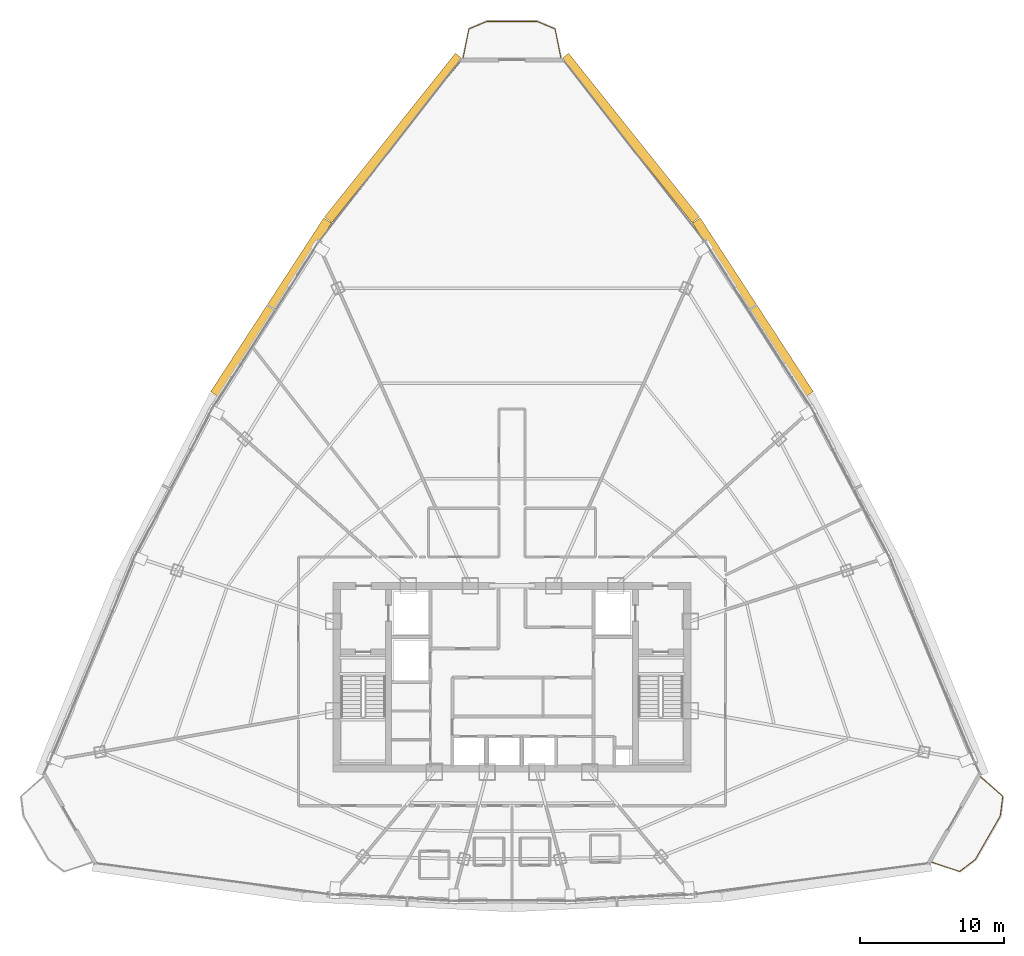
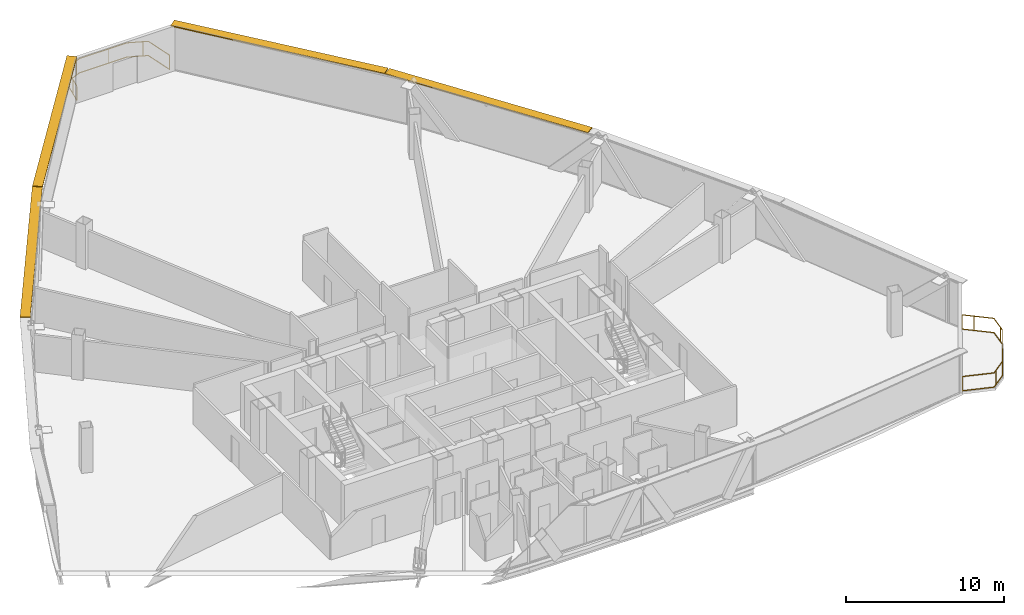
# One storey, part 39 of 39: 4 shading devices, 2 railings.
"""IFC4 building model written with IfcOpenShell, lengths in metres."""

from ifc_helpers import new_model, si_unit, direction, frame, origin, origin_2d, place, context, subcontext, project, spatial, rectangle, extrude, source, transform, mapped, material, layer, layer_set, type_object, element, save


model = new_model("IFC4")

# Units and contexts
model_context = context("Model", 3, precision=1e-05, world=origin(), true_north=direction((0.0, 1.0)))
body_context = subcontext(model_context, "Body", "Model", "MODEL_VIEW")
ifc_project = project(units=[si_unit("LENGTHUNIT", "METRE"), si_unit("AREAUNIT", "SQUARE_METRE"), si_unit("VOLUMEUNIT", "CUBIC_METRE"), si_unit("PLANEANGLEUNIT", "RADIAN"), si_unit("MASSUNIT", "GRAM", prefix="KILO"), si_unit("THERMODYNAMICTEMPERATUREUNIT", "KELVIN"), si_unit("POWERUNIT", "WATT")], contexts=[model_context])

# Site, building, storey
site_placement = place(None, origin())
site = spatial("IfcSite", under=ifc_project, at=site_placement, CompositionType="ELEMENT")
building_placement = place(site_placement, origin())
building = spatial("IfcBuilding", under=site, at=building_placement, Name="Yunzhuo Pagoda Commons", CompositionType="ELEMENT")
storey_placement = place(building_placement, frame((0.0, 0.0, 285.02001953125)))
storey = spatial("IfcBuildingStorey", under=building, at=storey_placement, Name="L71", CompositionType="ELEMENT", Elevation=285.02001953125)

# Railings
ifc_material = material(Name="Anodized aluminium 6063-T6", Category="aluminium")
railing_type = type_object("IfcRailingType", Name="RL-BAL1 Exterior Terrace & Balcony Balustrade 1150", PredefinedType="BALUSTRADE", material=ifc_material)
railing_1_placement = place(storey_placement, frame((77.193603515625, 20.98388671875, 0.0)))
element("IfcRailing", 1, at=railing_1_placement, inside=storey, type_object=railing_type, Name="L71 corner balcony balustrade V2", PredefinedType="BALUSTRADE", context=body_context, shape_type="SweptSolid", body=[
    extrude(rectangle(XDim=0.048095703125, YDim=0.048095703125, at=origin_2d()), frame((0.0, 0.0, 1.1259765625), z_axis=(0.947419062147, -0.319995501031, 0.0), x_axis=(0.319995501031, 0.947419062147, 0.0)), (0.0, 0.0, 1.0), 2.05908203125),
    extrude(rectangle(XDim=0.048095703125, YDim=0.048095703125, at=origin_2d()), frame((0.0, 0.0, 0.02392578125), z_axis=(0.947419062147, -0.319995501031, 0.0), x_axis=(0.319995501031, 0.947419062147, 0.0)), (0.0, 0.0, 1.0), 2.05908203125),
    extrude(rectangle(XDim=0.048095703125, YDim=0.048095703125, at=origin_2d()), frame((1.950927734375, -0.658935546875, 1.1259765625), z_axis=(0.793797866596, 0.608181672684, 0.0), x_axis=(-0.608181672684, 0.793797866596, 0.0)), (0.0, 0.0, 1.0), 1.37451171875),
    extrude(rectangle(XDim=0.048095703125, YDim=0.048095703125, at=origin_2d()), frame((1.950927734375, -0.658935546875, 0.02392578125), z_axis=(0.793797866596, 0.608181672684, 0.0), x_axis=(-0.608181672684, 0.793797866596, 0.0)), (0.0, 0.0, 1.0), 1.37451171875),
    extrude(rectangle(XDim=0.048095703125, YDim=0.048095703125, at=origin_2d()), frame((3.0419921875, 0.177001953125, 1.1259765625), z_axis=(0.49794239508, 0.867210107864, 0.0), x_axis=(-0.867210107864, 0.49794239508, 0.0)), (0.0, 0.0, 1.0), 3.496826171875),
    extrude(rectangle(XDim=0.048095703125, YDim=0.048095703125, at=origin_2d()), frame((3.0419921875, 0.177001953125, 0.02392578125), z_axis=(0.49794239508, 0.867210107864, 0.0), x_axis=(-0.867210107864, 0.49794239508, 0.0)), (0.0, 0.0, 1.0), 3.496826171875),
    extrude(rectangle(XDim=0.048095703125, YDim=0.048095703125, at=origin_2d()), frame((4.783203125, 3.20947265625, 1.1259765625), z_axis=(0.125040239257, 0.99215167115, 0.0), x_axis=(-0.99215167115, 0.125040239257, 0.0)), (0.0, 0.0, 1.0), 1.37451171875),
    extrude(rectangle(XDim=0.048095703125, YDim=0.048095703125, at=origin_2d()), frame((4.783203125, 3.20947265625, 0.02392578125), z_axis=(0.125040239257, 0.99215167115, 0.0), x_axis=(-0.99215167115, 0.125040239257, 0.0)), (0.0, 0.0, 1.0), 1.37451171875),
    extrude(rectangle(XDim=0.048095703125, YDim=0.048095703125, at=origin_2d()), frame((4.955078125, 4.5732421875, 1.1259765625), z_axis=(-0.753933830692, 0.656950362614, 0.0), x_axis=(-0.656950362614, -0.753933830692, 0.0)), (0.0, 0.0, 1.0), 2.05908203125),
    extrude(rectangle(XDim=0.048095703125, YDim=0.048095703125, at=origin_2d()), frame((4.955078125, 4.5732421875, 0.02392578125), z_axis=(-0.753933830692, 0.656950362614, 0.0), x_axis=(-0.656950362614, -0.753933830692, 0.0)), (0.0, 0.0, 1.0), 2.05908203125),
    extrude(rectangle(XDim=0.0419921875, YDim=0.0419921875, at=origin_2d()), origin(), (0.0, 0.0, 1.0), 1.101806640625),
    extrude(rectangle(XDim=0.0419921875, YDim=0.0419921875, at=origin_2d()), frame((2.221435546875, -0.45166015625, 0.0)), (0.0, 0.0, 1.0), 1.101806640625),
    extrude(rectangle(XDim=0.0419921875, YDim=0.0419921875, at=origin_2d()), frame((3.722412109375, 1.36181640625, 0.0)), (0.0, 0.0, 1.0), 1.101806640625),
    extrude(rectangle(XDim=0.0419921875, YDim=0.0419921875, at=origin_2d()), frame((4.81689453125, 3.476806640625, 0.0)), (0.0, 0.0, 1.0), 1.101806640625),
    extrude(rectangle(XDim=0.0419921875, YDim=0.0419921875, at=origin_2d()), frame((3.978759765625, 5.424072265625, 0.0)), (0.0, 0.0, 1.0), 1.101806640625),
    extrude(rectangle(XDim=0.0419921875, YDim=0.0419921875, at=origin_2d()), frame((3.402587890625, 5.926025390625, 0.0)), (0.0, 0.0, 1.0), 1.101806640625),
])
railing_2_placement = place(storey_placement, frame((51.402099609375, 76.9228515625, 0.0)))
element("IfcRailing", 2, at=railing_2_placement, inside=storey, type_object=railing_type, Name="L71 corner balcony balustrade V3", PredefinedType="BALUSTRADE", context=body_context, shape_type="SweptSolid", body=[
    extrude(rectangle(XDim=0.048095703125, YDim=0.048095703125, at=origin_2d()), frame((0.0, 0.0, 1.1259765625), z_axis=(-0.194200568098, 0.980961843983, 0.0), x_axis=(-0.980961843983, -0.194200568098, 0.0)), (0.0, 0.0, 1.0), 2.059326171875),
    extrude(rectangle(XDim=0.048095703125, YDim=0.048095703125, at=origin_2d()), frame((0.0, 0.0, 0.02392578125), z_axis=(-0.194200568098, 0.980961843983, 0.0), x_axis=(-0.980961843983, -0.194200568098, 0.0)), (0.0, 0.0, 1.0), 2.059326171875),
    extrude(rectangle(XDim=0.048095703125, YDim=0.048095703125, at=origin_2d()), frame((-0.39990234375, 2.02001953125, 1.1259765625), z_axis=(-0.921873740634, 0.387490395144, 0.0), x_axis=(-0.387490395144, -0.921873740634, 0.0)), (0.0, 0.0, 1.0), 1.367919921875),
    extrude(rectangle(XDim=0.048095703125, YDim=0.048095703125, at=origin_2d()), frame((-0.39990234375, 2.02001953125, 0.02392578125), z_axis=(-0.921873740634, 0.387490395144, 0.0), x_axis=(-0.387490395144, -0.921873740634, 0.0)), (0.0, 0.0, 1.0), 1.367919921875),
    extrude(rectangle(XDim=0.048095703125, YDim=0.048095703125, at=origin_2d()), frame((-1.660888671875, 2.550048828125, 1.1259765625), z_axis=(-1.0, 0.0, 0.0), x_axis=(0.0, -1.0, 0.0)), (0.0, 0.0, 1.0), 3.482421875),
    extrude(rectangle(XDim=0.048095703125, YDim=0.048095703125, at=origin_2d()), frame((-1.660888671875, 2.550048828125, 0.02392578125), z_axis=(-1.0, 0.0, 0.0), x_axis=(0.0, -1.0, 0.0)), (0.0, 0.0, 1.0), 3.482421875),
    extrude(rectangle(XDim=0.048095703125, YDim=0.048095703125, at=origin_2d()), frame((-5.143310546875, 2.550048828125, 1.1259765625), z_axis=(-0.921873740634, -0.387490395144, 0.0), x_axis=(0.387490395144, -0.921873740634, 0.0)), (0.0, 0.0, 1.0), 1.367919921875),
    extrude(rectangle(XDim=0.048095703125, YDim=0.048095703125, at=origin_2d()), frame((-5.143310546875, 2.550048828125, 0.02392578125), z_axis=(-0.921873740634, -0.387490395144, 0.0), x_axis=(0.387490395144, -0.921873740634, 0.0)), (0.0, 0.0, 1.0), 1.367919921875),
    extrude(rectangle(XDim=0.048095703125, YDim=0.048095703125, at=origin_2d()), frame((-6.404296875, 2.02001953125, 1.1259765625), z_axis=(-0.194200568098, -0.980961843983, 0.0), x_axis=(0.980961843983, -0.194200568098, 0.0)), (0.0, 0.0, 1.0), 2.059326171875),
    extrude(rectangle(XDim=0.048095703125, YDim=0.048095703125, at=origin_2d()), frame((-6.404296875, 2.02001953125, 0.02392578125), z_axis=(-0.194200568098, -0.980961843983, 0.0), x_axis=(0.980961843983, -0.194200568098, 0.0)), (0.0, 0.0, 1.0), 2.059326171875),
    extrude(rectangle(XDim=0.0419921875, YDim=0.0419921875, at=origin_2d()), origin(), (0.0, 0.0, 1.0), 1.101806640625),
    extrude(rectangle(XDim=0.0419921875, YDim=0.0419921875, at=origin_2d()), frame((-0.714111328125, 2.152099609375, 0.0)), (0.0, 0.0, 1.0), 1.101806640625),
    extrude(rectangle(XDim=0.0419921875, YDim=0.0419921875, at=origin_2d()), frame((-3.033935546875, 2.550048828125, 0.0)), (0.0, 0.0, 1.0), 1.101806640625),
    extrude(rectangle(XDim=0.0419921875, YDim=0.0419921875, at=origin_2d()), frame((-5.4111328125, 2.4375, 0.0)), (0.0, 0.0, 1.0), 1.101806640625),
    extrude(rectangle(XDim=0.0419921875, YDim=0.0419921875, at=origin_2d()), frame((-6.6611328125, 0.72265625, 0.0)), (0.0, 0.0, 1.0), 1.101806640625),
    extrude(rectangle(XDim=0.0419921875, YDim=0.0419921875, at=origin_2d()), frame((-6.80419921875, 0.0, 0.0)), (0.0, 0.0, 1.0), 1.101806640625),
])

# Shading devices
ifc_layer = layer(ifc_material, 0.080078125)
ifc_layer_set = layer_set([ifc_layer], Name="Anodized aluminium 6063-T6")
shading_device_type = type_object("IfcShadingDeviceType", Name="SH-SUN1 Pagoda Horizontal Sunshade Eave 650", PredefinedType="USERDEFINED", material=ifc_layer_set)
shared_shape_1 = source(origin(), body_context, "Body", "SweptSolid", [
    extrude(rectangle(XDim=14.5732421875, YDim=0.64990234375, at=origin_2d()), origin(), (0.0, 0.0, 1.0), 0.080078125),
])
for number, where, z_axis, x_axis, name in (
    (3, (56.23291015625, 71.3662109375, 3.389892578125), (0.0, 0.0, 1.0), (-0.624520471688, 0.781008438138, 0.0), "L71 horizontal pagoda sunshade eave F2.4"),
    (4, (39.76708984375, 71.3662109375, 3.389892578125), (0.0, 0.0, 1.0), (-0.624520471688, -0.781008438138, 0.0), "L71 horizontal pagoda sunshade eave F3.1"),
):
    element("IfcShadingDevice", number, at=place(storey_placement, frame(where, z_axis=z_axis, x_axis=x_axis)), inside=storey, type_object=shading_device_type, Name=name, ObjectType="SUNSHADE", PredefinedType="USERDEFINED", context=body_context, shape_type="MappedRepresentation", body=[
        mapped(shared_shape_1, transform((0.0, 0.0, 0.0), scale=1.0)),
    ])
shared_shape_2 = source(origin(), body_context, "Body", "SweptSolid", [
    extrude(rectangle(XDim=14.434814453125, YDim=0.64990234375, at=origin_2d()), origin(), (0.0, 0.0, 1.0), 0.080078125),
])
for number, where, z_axis, x_axis, name in (
    (5, (64.760009765625, 59.57666015625, 3.389892578125), (0.0, 0.0, 1.0), (-0.545838756973, 0.837890238269, 0.0), "L71 horizontal pagoda sunshade eave F2.3"),
    (6, (31.239990234375, 59.57666015625, 3.389892578125), (0.0, 0.0, 1.0), (-0.545838756973, -0.837890238269, 0.0), "L71 horizontal pagoda sunshade eave F3.2"),
):
    element("IfcShadingDevice", number, at=place(storey_placement, frame(where, z_axis=z_axis, x_axis=x_axis)), inside=storey, type_object=shading_device_type, Name=name, ObjectType="SUNSHADE", PredefinedType="USERDEFINED", context=body_context, shape_type="MappedRepresentation", body=[
        mapped(shared_shape_2, transform((0.0, 0.0, 0.0), scale=1.0)),
    ])

save(model, "model.ifc")
